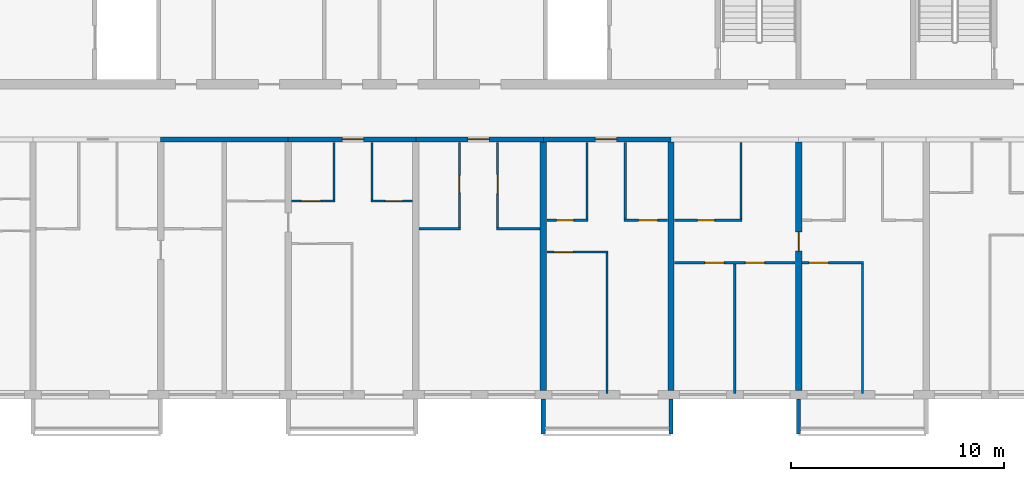
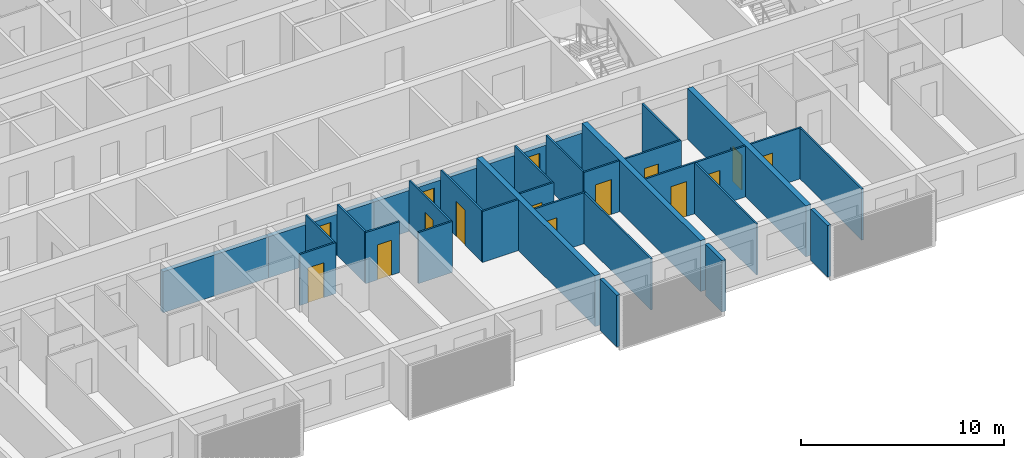
# One storey, part 5 of 32: 30 walls, 15 doors, 15 openings.
"""IFC4 building model written with IfcOpenShell, lengths in metres."""

import ifcopenshell
import ifcopenshell.guid

model = None  # the IFC model being written
_history = None  # IfcOwnerHistory: only IFC2X3 demands one
_inside = {}  # id of a spatial element -> (the spatial element, [elements in it])
_under = {}  # id of a project, library or spatial element -> (it, [spatial elements below it])
_declared = {}  # id of a project -> (the project, [libraries it declares])
_typed = {}  # id of a type object -> (the type object, [elements of that type])
_made_of = {}  # id of a material, layer set ... -> (it, [elements and type objects made of it])


def new_model(schema):
    """Start an empty IFC model of exactly this schema.

    Asked for "IFC4X3", IfcOpenShell would pick the latest addendum, in which some entities
    have other attributes; the version numbers below select the first issue.
    IFC2X3 requires an IfcOwnerHistory on every rooted entity: one is made here for all.
    """
    global model, _history
    if schema == "IFC4X3":
        model = ifcopenshell.file(schema_version=(4, 3, 0, 0))
    else:
        model = ifcopenshell.file(schema=schema)
    _inside.clear()
    _under.clear()
    _declared.clear()
    _typed.clear()
    _made_of.clear()
    _history = None
    if model.schema == "IFC2X3":
        org = make("IfcOrganization", Name="unknown")
        user = make(
            "IfcPersonAndOrganization",
            ThePerson=make("IfcPerson", FamilyName="unknown"),
            TheOrganization=org,
        )
        app = make(
            "IfcApplication",
            ApplicationDeveloper=org,
            Version="unknown",
            ApplicationFullName="unknown",
            ApplicationIdentifier="unknown",
        )
        _history = make(
            "IfcOwnerHistory",
            OwningUser=user,
            OwningApplication=app,
            ChangeAction="ADDED",
            CreationDate=0,
        )
    return model


def make(cls, **values):
    """One entity of the class cls with the attributes given. An attribute that is None is left unset."""
    return model.create_entity(
        cls, **{name: value for name, value in values.items() if value is not None}
    )


def rooted(cls, **values):
    """An entity with a GlobalId (a new one), such as an element, a storey or a relation."""
    return make(cls, GlobalId=ifcopenshell.guid.new(), OwnerHistory=_history, **values)


def si_unit(unit_type, name, prefix=None):
    """IfcSIUnit, for example si_unit("LENGTHUNIT", "METRE", prefix="MILLI")."""
    return make("IfcSIUnit", UnitType=unit_type, Prefix=prefix, Name=name)


def assignment(units):
    """IfcUnitAssignment: the units of a project."""
    return None if units is None else make("IfcUnitAssignment", Units=units)


def point(xyz):
    """IfcCartesianPoint."""
    return None if xyz is None else make("IfcCartesianPoint", Coordinates=xyz)


def direction(xyz):
    """IfcDirection."""
    return None if xyz is None else make("IfcDirection", DirectionRatios=xyz)


def frame(location, z_axis=None, x_axis=None):
    """IfcAxis2Placement3D, a coordinate frame: its origin and axes. An axis left out is left unset."""
    return make(
        "IfcAxis2Placement3D",
        Location=point(location),
        Axis=direction(z_axis),
        RefDirection=direction(x_axis),
    )


def frame_2d(location, x_axis=None):
    """IfcAxis2Placement2D, a coordinate frame in the plane: its origin and x axis."""
    return make(
        "IfcAxis2Placement2D", Location=point(location), RefDirection=direction(x_axis)
    )


def origin():
    """The frame at (0, 0, 0) with its axes left unset."""
    return frame((0.0, 0.0, 0.0))


def place(relative_to, where):
    """IfcLocalPlacement: puts the frame where relative to a parent placement (None: the world)."""
    return make(
        "IfcLocalPlacement", PlacementRelTo=relative_to, RelativePlacement=where
    )


def context(
    kind, dimensions, precision=None, world=None, true_north=None, identifier=None
):
    """IfcGeometricRepresentationContext, for example the 3D "Model" context."""
    return make(
        "IfcGeometricRepresentationContext",
        ContextIdentifier=identifier,
        ContextType=kind,
        CoordinateSpaceDimension=dimensions,
        Precision=precision,
        WorldCoordinateSystem=world,
        TrueNorth=true_north,
    )


def subcontext(parent, identifier, kind, view, scale=None):
    """IfcGeometricRepresentationSubContext, for example "Body" below "Model"."""
    return make(
        "IfcGeometricRepresentationSubContext",
        ContextIdentifier=identifier,
        ContextType=kind,
        ParentContext=parent,
        TargetScale=scale,
        TargetView=view,
    )


def project(units=None, contexts=None):
    """IfcProject with its units and contexts."""
    return rooted(
        "IfcProject",
        Name="project",
        RepresentationContexts=contexts,
        UnitsInContext=assignment(units),
    )


def spatial(cls, under=None, at=None, **own):
    """A site, building, storey or space (cls), placed at a placement, below another one or the project."""
    s = rooted(cls, ObjectPlacement=at, **own)
    if under is not None:
        _under.setdefault(under.id(), (under, []))[1].append(s)
    return s


def polyline(points):
    """IfcPolyline through the points."""
    return make("IfcPolyline", Points=[point(p) for p in points])


def profile(cls, at=None, kind="AREA", **sizes):
    """A parametric profile (cls). Its sizes go by their IFC names, for example OverallWidth=200.0."""
    return make(cls, ProfileType=kind, Position=at, **sizes)


def rectangle(**sizes):
    """IfcRectangleProfileDef."""
    return profile("IfcRectangleProfileDef", **sizes)


def outline(outer, holes=None, kind="AREA"):
    """IfcArbitraryClosedProfileDef: a profile drawn as a closed curve; with holes, ...WithVoids."""
    if holes is None:
        return make("IfcArbitraryClosedProfileDef", ProfileType=kind, OuterCurve=outer)
    return make(
        "IfcArbitraryProfileDefWithVoids",
        ProfileType=kind,
        OuterCurve=outer,
        InnerCurves=holes,
    )


def extrude(swept, where, along, depth):
    """IfcExtrudedAreaSolid: the profile swept, set in the frame where, extruded along a direction by depth."""
    return make(
        "IfcExtrudedAreaSolid",
        SweptArea=swept,
        Position=where,
        ExtrudedDirection=direction(along),
        Depth=depth,
    )


def shape(context_of_items, identifier, shape_type, items):
    """IfcShapeRepresentation: the items that make up one representation, for example the "Body"."""
    return make(
        "IfcShapeRepresentation",
        ContextOfItems=context_of_items,
        RepresentationIdentifier=identifier,
        RepresentationType=shape_type,
        Items=items,
    )


def source(mapping_origin, context_of_items, identifier, shape_type, items):
    """IfcRepresentationMap: a shape defined once, which mapped items show again and again."""
    return make(
        "IfcRepresentationMap",
        MappingOrigin=mapping_origin,
        MappedRepresentation=shape(context_of_items, identifier, shape_type, items),
    )


def transform(
    local_origin,
    x_axis=None,
    y_axis=None,
    z_axis=None,
    scale=None,
    scale2=None,
    scale3=None,
    uniform=True,
):
    """IfcCartesianTransformationOperator3D, or its non-uniform kind. x_axis, y_axis, z_axis: its Axis1, 2, 3."""
    if uniform:
        return make(
            "IfcCartesianTransformationOperator3D",
            Axis1=direction(x_axis),
            Axis2=direction(y_axis),
            LocalOrigin=point(local_origin),
            Scale=scale,
            Axis3=direction(z_axis),
        )
    return make(
        "IfcCartesianTransformationOperator3DnonUniform",
        Axis1=direction(x_axis),
        Axis2=direction(y_axis),
        LocalOrigin=point(local_origin),
        Scale=scale,
        Axis3=direction(z_axis),
        Scale2=scale2,
        Scale3=scale3,
    )


def mapped(mapping_source, mapping_target):
    """IfcMappedItem: shows the shape of a source again, moved by a transform."""
    return make(
        "IfcMappedItem", MappingSource=mapping_source, MappingTarget=mapping_target
    )


def material(Name=None, Category=None):
    """IfcMaterial."""
    return make("IfcMaterial", Name=Name, Category=Category)


def layer(
    of_material, thickness, ventilated=None, Name=None, Category=None, Priority=None
):
    """IfcMaterialLayer: one layer of a wall or slab, of a material (None: an air gap)."""
    return make(
        "IfcMaterialLayer",
        Material=of_material,
        LayerThickness=thickness,
        IsVentilated=ventilated,
        Name=Name,
        Category=Category,
        Priority=Priority,
    )


def layer_set(layers, Name=None):
    """IfcMaterialLayerSet."""
    return make("IfcMaterialLayerSet", MaterialLayers=layers, LayerSetName=Name)


def made_of(thing, what):
    """Note that an element or type object is made of a material, layer set ...; save() writes the relation."""
    if what is not None:
        _made_of.setdefault(what.id(), (what, []))[1].append(thing)
    return thing


def type_object(cls, material=None, **own):
    """A type object (cls), such as IfcWallType, which elements share."""
    return made_of(rooted(cls, **own), material)


def element(
    cls,
    number,
    at=None,
    inside=None,
    cuts=None,
    type_object=None,
    material=None,
    context=None,
    identifier="Body",
    shape_type=None,
    held_by="IfcProductDefinitionShape",
    body=None,
    shapes=None,
    **own,
):
    """One element of the class cls, such as IfcWall. Its Tag is "e" and its number.

    at: its placement. inside: the storey or other place that contains it. cuts: it is an
    opening in that element (IfcRelVoidsElement). A single representation is given by context,
    identifier, shape_type and body (its items); several are given by shapes. held_by: the class
    of the entity that holds the representations. save() writes the other relations.
    """
    e = rooted(cls, Tag="e%d" % number, ObjectPlacement=at, **own)
    if body is not None:
        shapes = [shape(context, identifier, shape_type, body)]
    if shapes is not None:
        e.Representation = make(held_by, Representations=shapes)
    if inside is not None:
        _inside.setdefault(inside.id(), (inside, []))[1].append(e)
    if cuts is not None:
        rooted(
            "IfcRelVoidsElement", RelatingBuildingElement=cuts, RelatedOpeningElement=e
        )
    if type_object is not None:
        _typed.setdefault(type_object.id(), (type_object, []))[1].append(e)
    return made_of(e, material)


def fill(opening, filler):
    """IfcRelFillsElement: the door or window that sits in an opening."""
    return rooted(
        "IfcRelFillsElement",
        RelatingOpeningElement=opening,
        RelatedBuildingElement=filler,
    )


def aggregate(whole, parts):
    """IfcRelAggregates: a whole, such as a stair, and the parts it consists of."""
    return rooted("IfcRelAggregates", RelatingObject=whole, RelatedObjects=parts)


def save(model, path):
    """Write the relations noted so far, then the file.

    IfcRelAggregates (storeys below a building ...), IfcRelContainedInSpatialStructure (elements
    in a storey), IfcRelDefinesByType, IfcRelAssociatesMaterial and IfcRelDeclares: one each for
    every whole, place, type object, material and project.
    """
    for whole, parts in _under.values():
        aggregate(whole, parts)
    for where, things in _inside.values():
        rooted(
            "IfcRelContainedInSpatialStructure",
            RelatedElements=things,
            RelatingStructure=where,
        )
    for kind, things in _typed.values():
        rooted("IfcRelDefinesByType", RelatedObjects=things, RelatingType=kind)
    for what, things in _made_of.values():
        rooted("IfcRelAssociatesMaterial", RelatedObjects=things, RelatingMaterial=what)
    for by, libraries in _declared.values():
        rooted("IfcRelDeclares", RelatingContext=by, RelatedDefinitions=libraries)
    model.write(path)


model = new_model("IFC4")

# Units and contexts
model_context = context("Model", 3, precision=1e-05, world=origin(), true_north=direction((0.0, 1.0)))
body_context = subcontext(model_context, "Body", "Model", "MODEL_VIEW")
ifc_project = project(units=[si_unit("LENGTHUNIT", "METRE"), si_unit("AREAUNIT", "SQUARE_METRE"), si_unit("VOLUMEUNIT", "CUBIC_METRE"), si_unit("PLANEANGLEUNIT", "RADIAN"), si_unit("MASSUNIT", "GRAM", prefix="KILO")], contexts=[model_context])

# Site, building, storey
site_placement = place(None, origin())
site = spatial("IfcSite", under=ifc_project, at=site_placement, CompositionType="ELEMENT")
building_placement = place(site_placement, origin())
building = spatial("IfcBuilding", under=site, at=building_placement, Name="Poui Terraces", CompositionType="ELEMENT")
storey_placement = place(building_placement, frame((0.0, 0.0, 129.0)))
storey = spatial("IfcBuildingStorey", under=building, at=storey_placement, Name="L35", CompositionType="ELEMENT", Elevation=129.0)

# Wall
ifc_material_1 = material(Name="Concrete 65 MPa", Category="concrete")
ifc_layer_1 = layer(ifc_material_1, 0.25)
ifc_layer_set_1 = layer_set([ifc_layer_1], Name="Concrete 65 MPa")
wall_type_1 = type_object("IfcWallType", Name="CORRIDOR WALL 250 65MPa", PredefinedType="SHEAR", material=ifc_layer_set_1)
wall_1_placement = place(storey_placement, frame((42.0, 12.0, 0.0), z_axis=(0.0, 0.0, 1.0), x_axis=(1.0, 0.0, 0.0)))
element("IfcWall", 1, at=wall_1_placement, inside=storey, type_object=wall_type_1, Name="CORRIDOR WALL LINE B BAY 6", PredefinedType="SHEAR", context=body_context, shape_type="SweptSolid", body=[
    extrude(rectangle(XDim=6.0, YDim=0.25, at=frame_2d((3.0, 0.0))), origin(), (0.0, 0.0, 1.0), 2.469970703125),
])

# Wall, opening, door
wall_2_placement = place(storey_placement, frame((48.0, 12.0, 0.0), z_axis=(0.0, 0.0, 1.0), x_axis=(1.0, 0.0, 0.0)))
wall_2 = element("IfcWall", 2, at=wall_2_placement, inside=storey, type_object=wall_type_1, Name="CORRIDOR WALL LINE B BAY 7", PredefinedType="SHEAR", context=body_context, shape_type="SweptSolid", body=[
    extrude(rectangle(XDim=6.0, YDim=0.25, at=frame_2d((3.0, 0.0))), origin(), (0.0, 0.0, 1.0), 2.469970703125),
])
opening_1_placement = place(wall_2_placement, frame((2.550048828125, 0.0, 0.0)))
opening_1 = element("IfcOpeningElement", 3, at=opening_1_placement, cuts=wall_2, Name="Opening FD30S", PredefinedType="OPENING", context=body_context, shape_type="SweptSolid", body=[
    extrude(rectangle(XDim=1.0, YDim=2.10009765625, at=frame_2d((0.5, 1.050048828125))), frame((0.0, 0.135009765625, 0.0), z_axis=(0.0, -1.0, 0.0), x_axis=(1.0, 0.0, 0.0)), (0.0, 0.0, 1.0), 0.27001953125),
])
ifc_material_2 = material(Name="Steel fire door", Category="steel")
door_type_1 = type_object("IfcDoorType", Name="FLAT ENTRANCE DOOR 1000 X 2100", OperationType="NOTDEFINED", PredefinedType="DOOR", material=ifc_material_2)
door_1_placement = place(opening_1_placement, frame((1.0, 0.0, 0.0), z_axis=(0.0, 0.0, 1.0), x_axis=(-1.0, 0.0, 0.0)))
door_1 = element("IfcDoor", 4, at=door_1_placement, inside=storey, type_object=door_type_1, Name="FLAT ENTRANCE DOOR 099", OperationType="SINGLE_SWING_LEFT", OverallHeight=2.10009765625, OverallWidth=1.0, PredefinedType="DOOR", context=body_context, shape_type="SweptSolid", body=[
    extrude(rectangle(XDim=1.0, YDim=2.10009765625, at=frame_2d((0.5, 1.050048828125))), frame((0.0, 0.02490234375, 0.0), z_axis=(0.0, -1.0, 0.0), x_axis=(1.0, 0.0, 0.0)), (0.0, 0.0, 1.0), 0.050048828125),
])
fill(opening_1, door_1)

wall_3_placement = place(storey_placement, frame((54.0, 12.0, 0.0), z_axis=(0.0, 0.0, 1.0), x_axis=(1.0, 0.0, 0.0)))
wall_3 = element("IfcWall", 5, at=wall_3_placement, inside=storey, type_object=wall_type_1, Name="CORRIDOR WALL LINE B BAY 8", PredefinedType="SHEAR", context=body_context, shape_type="SweptSolid", body=[
    extrude(rectangle(XDim=6.0, YDim=0.25, at=frame_2d((3.0, 0.0))), origin(), (0.0, 0.0, 1.0), 2.469970703125),
])
opening_2_placement = place(wall_3_placement, frame((2.449951171875, 0.0, 0.0)))
opening_2 = element("IfcOpeningElement", 6, at=opening_2_placement, cuts=wall_3, Name="Opening FD30S", PredefinedType="OPENING", context=body_context, shape_type="SweptSolid", body=[
    extrude(rectangle(XDim=1.0, YDim=2.10009765625, at=frame_2d((0.5, 1.050048828125))), frame((0.0, 0.135009765625, 0.0), z_axis=(0.0, -1.0, 0.0), x_axis=(1.0, 0.0, 0.0)), (0.0, 0.0, 1.0), 0.27001953125),
])
door_2_placement = place(opening_2_placement, frame((1.0, 0.0, 0.0), z_axis=(0.0, 0.0, 1.0), x_axis=(-1.0, 0.0, 0.0)))
door_2 = element("IfcDoor", 7, at=door_2_placement, inside=storey, type_object=door_type_1, Name="FLAT ENTRANCE DOOR 102", OperationType="SINGLE_SWING_RIGHT", OverallHeight=2.10009765625, OverallWidth=1.0, PredefinedType="DOOR", context=body_context, shape_type="SweptSolid", body=[
    extrude(rectangle(XDim=1.0, YDim=2.10009765625, at=frame_2d((0.5, 1.050048828125))), frame((0.0, 0.02490234375, 0.0), z_axis=(0.0, -1.0, 0.0), x_axis=(1.0, 0.0, 0.0)), (0.0, 0.0, 1.0), 0.050048828125),
])
fill(opening_2, door_2)

wall_4_placement = place(storey_placement, frame((60.0, 12.0, 0.0), z_axis=(0.0, 0.0, 1.0), x_axis=(1.0, 0.0, 0.0)))
wall_4 = element("IfcWall", 8, at=wall_4_placement, inside=storey, type_object=wall_type_1, Name="CORRIDOR WALL LINE B BAY 9", PredefinedType="SHEAR", context=body_context, shape_type="SweptSolid", body=[
    extrude(rectangle(XDim=6.0, YDim=0.25, at=frame_2d((3.0, 0.0))), origin(), (0.0, 0.0, 1.0), 2.469970703125),
])
opening_3_placement = place(wall_4_placement, frame((2.449951171875, 0.0, 0.0)))
opening_3 = element("IfcOpeningElement", 9, at=opening_3_placement, cuts=wall_4, Name="Opening FD30S", PredefinedType="OPENING", context=body_context, shape_type="SweptSolid", body=[
    extrude(rectangle(XDim=1.0, YDim=2.10009765625, at=frame_2d((0.5, 1.050048828125))), frame((0.0, 0.135009765625, 0.0), z_axis=(0.0, -1.0, 0.0), x_axis=(1.0, 0.0, 0.0)), (0.0, 0.0, 1.0), 0.27001953125),
])
door_3_placement = place(opening_3_placement, frame((1.0, 0.0, 0.0), z_axis=(0.0, 0.0, 1.0), x_axis=(-1.0, 0.0, 0.0)))
door_3 = element("IfcDoor", 10, at=door_3_placement, inside=storey, type_object=door_type_1, Name="FLAT ENTRANCE DOOR 106", OperationType="SINGLE_SWING_RIGHT", OverallHeight=2.10009765625, OverallWidth=1.0, PredefinedType="DOOR", context=body_context, shape_type="SweptSolid", body=[
    extrude(rectangle(XDim=1.0, YDim=2.10009765625, at=frame_2d((0.5, 1.050048828125))), frame((0.0, 0.02490234375, 0.0), z_axis=(0.0, -1.0, 0.0), x_axis=(1.0, 0.0, 0.0)), (0.0, 0.0, 1.0), 0.050048828125),
])
fill(opening_3, door_3)

# Walls
ifc_layer_2 = layer(ifc_material_1, 0.300048828125)
ifc_layer_set_2 = layer_set([ifc_layer_2], Name="Concrete 65 MPa")
wall_type_2 = type_object("IfcWallType", Name="CROSS WALL 300 65MPa", PredefinedType="SHEAR", material=ifc_layer_set_2)
for number, where, z_axis, x_axis, name in (
    (11, (60.0, 0.199951171875, 0.0), (0.0, 0.0, 1.0), (0.0, 1.0, 0.0), "CROSS WALL LINE 11 SOUTH"),
    (12, (66.0, 0.199951171875, 0.0), (0.0, 0.0, 1.0), (0.0, 1.0, 0.0), "CROSS WALL LINE 12 SOUTH"),
):
    element("IfcWall", number, at=place(storey_placement, frame(where, z_axis=z_axis, x_axis=x_axis)), inside=storey, type_object=wall_type_2, Name=name, PredefinedType="SHEAR", context=body_context, shape_type="SweptSolid", body=[
        extrude(rectangle(XDim=11.675048828125, YDim=0.300048828125, at=frame_2d((5.83740234375, 0.0))), origin(), (0.0, 0.0, 1.0), 3.070068359375),
    ])

# Wall, opening, door
wall_5_placement = place(storey_placement, frame((72.0, 0.199951171875, 0.0), z_axis=(0.0, 0.0, 1.0), x_axis=(0.0, 1.0, 0.0)))
wall_5 = element("IfcWall", 13, at=wall_5_placement, inside=storey, type_object=wall_type_2, Name="CROSS WALL LINE 13 SOUTH", PredefinedType="SHEAR", context=body_context, shape_type="SweptSolid", body=[
    extrude(rectangle(XDim=11.675048828125, YDim=0.300048828125, at=frame_2d((5.83740234375, 0.0))), origin(), (0.0, 0.0, 1.0), 3.070068359375),
])
opening_4_placement = place(wall_5_placement, frame((6.550048828125, 0.0, 0.0)))
opening_4 = element("IfcOpeningElement", 14, at=opening_4_placement, cuts=wall_5, Name="Opening D90", PredefinedType="OPENING", context=body_context, shape_type="SweptSolid", body=[
    extrude(rectangle(XDim=0.89990234375, YDim=2.10009765625, at=frame_2d((0.449951171875, 1.050048828125))), frame((0.0, 0.16015625, 0.0), z_axis=(0.0, -1.0, 0.0), x_axis=(1.0, 0.0, 0.0)), (0.0, 0.0, 1.0), 0.320068359375),
])
ifc_material_3 = material(Name="Solid core timber door", Category="wood")
door_type_2 = type_object("IfcDoorType", Name="INTERNAL DOOR 900 X 2100", OperationType="NOTDEFINED", PredefinedType="DOOR", material=ifc_material_3)
door_4_placement = place(opening_4_placement, frame((0.89990234375, 0.0, 0.0), z_axis=(0.0, 0.0, 1.0), x_axis=(-1.0, 0.0, 0.0)))
door_4 = element("IfcDoor", 15, at=door_4_placement, inside=storey, type_object=door_type_2, Name="INTERNAL DOOR 111", OperationType="SINGLE_SWING_LEFT", OverallHeight=2.10009765625, OverallWidth=0.89990234375, PredefinedType="DOOR", context=body_context, shape_type="SweptSolid", body=[
    extrude(rectangle(XDim=0.89990234375, YDim=2.10009765625, at=frame_2d((0.449951171875, 1.050048828125))), frame((0.0, 0.02490234375, 0.0), z_axis=(0.0, -1.0, 0.0), x_axis=(1.0, 0.0, 0.0)), (0.0, 0.0, 1.0), 0.050048828125),
])
fill(opening_4, door_4)

# Wall, openings, doors
ifc_material_4 = material(Name="Plasterboard partition")
ifc_layer_3 = layer(ifc_material_4, 0.10009765625)
ifc_layer_set_3 = layer_set([ifc_layer_3], Name="Plasterboard partition")
wall_type_3 = type_object("IfcWallType", Name="FLAT PARTITION 100", PredefinedType="PARTITIONING", material=ifc_layer_set_3)
wall_6_placement = place(storey_placement, frame((66.159912109375, 6.199951171875, 0.0), z_axis=(0.0, 0.0, 1.0), x_axis=(1.0, 0.0, 0.0)))
wall_6 = element("IfcWall", 16, at=wall_6_placement, inside=storey, type_object=wall_type_3, Name="FLAT PARTITION 100", PredefinedType="PARTITIONING", context=body_context, shape_type="SweptSolid", body=[
    extrude(rectangle(XDim=5.68017578125, YDim=0.10009765625, at=frame_2d((2.840087890625, 0.0))), origin(), (0.0, 0.0, 1.0), 3.070068359375),
])
opening_5_placement = place(wall_6_placement, frame((1.43994140625, 0.0, 0.0)))
opening_5 = element("IfcOpeningElement", 17, at=opening_5_placement, cuts=wall_6, Name="Opening D90", PredefinedType="OPENING", context=body_context, shape_type="SweptSolid", body=[
    extrude(rectangle(XDim=0.89990234375, YDim=2.10009765625, at=frame_2d((0.449951171875, 1.050048828125))), frame((0.0, 0.06005859375, 0.0), z_axis=(0.0, -1.0, 0.0), x_axis=(1.0, 0.0, 0.0)), (0.0, 0.0, 1.0), 0.1201171875),
])
opening_6_placement = place(wall_6_placement, frame((3.340087890625, 0.0, 0.0)))
opening_6 = element("IfcOpeningElement", 18, at=opening_6_placement, cuts=wall_6, Name="Opening D90", PredefinedType="OPENING", context=body_context, shape_type="SweptSolid", body=[
    extrude(rectangle(XDim=0.89990234375, YDim=2.10009765625, at=frame_2d((0.449951171875, 1.050048828125))), frame((0.0, 0.06005859375, 0.0), z_axis=(0.0, -1.0, 0.0), x_axis=(1.0, 0.0, 0.0)), (0.0, 0.0, 1.0), 0.1201171875),
])
door_5_placement = place(opening_5_placement, frame((0.89990234375, 0.0, 0.0), z_axis=(0.0, 0.0, 1.0), x_axis=(-1.0, 0.0, 0.0)))
door_5 = element("IfcDoor", 19, at=door_5_placement, inside=storey, type_object=door_type_2, Name="INTERNAL DOOR 109", OperationType="SINGLE_SWING_LEFT", OverallHeight=2.10009765625, OverallWidth=0.89990234375, PredefinedType="DOOR", context=body_context, shape_type="SweptSolid", body=[
    extrude(rectangle(XDim=0.89990234375, YDim=2.10009765625, at=frame_2d((0.449951171875, 1.050048828125))), frame((0.0, 0.02490234375, 0.0), z_axis=(0.0, -1.0, 0.0), x_axis=(1.0, 0.0, 0.0)), (0.0, 0.0, 1.0), 0.050048828125),
])
fill(opening_5, door_5)
door_6_placement = place(opening_6_placement, frame((0.89990234375, 0.0, 0.0), z_axis=(0.0, 0.0, 1.0), x_axis=(-1.0, 0.0, 0.0)))
door_6 = element("IfcDoor", 20, at=door_6_placement, inside=storey, type_object=door_type_2, Name="INTERNAL DOOR 110", OperationType="SINGLE_SWING_RIGHT", OverallHeight=2.10009765625, OverallWidth=0.89990234375, PredefinedType="DOOR", context=body_context, shape_type="SweptSolid", body=[
    extrude(rectangle(XDim=0.89990234375, YDim=2.10009765625, at=frame_2d((0.449951171875, 1.050048828125))), frame((0.0, 0.02490234375, 0.0), z_axis=(0.0, -1.0, 0.0), x_axis=(1.0, 0.0, 0.0)), (0.0, 0.0, 1.0), 0.050048828125),
])
fill(opening_6, door_6)

# Wall, opening, door
wall_7_placement = place(storey_placement, frame((72.159912109375, 6.199951171875, 0.0), z_axis=(0.0, 0.0, 1.0), x_axis=(1.0, 0.0, 0.0)))
wall_7 = element("IfcWall", 21, at=wall_7_placement, inside=storey, type_object=wall_type_3, Name="FLAT PARTITION 100", PredefinedType="PARTITIONING", context=body_context, shape_type="SweptSolid", body=[
    extrude(rectangle(XDim=2.89013671875, YDim=0.10009765625, at=frame_2d((1.445068359375, 0.0))), origin(), (0.0, 0.0, 1.0), 3.070068359375),
])
opening_7_placement = place(wall_7_placement, frame((0.340087890625, 0.0, 0.0)))
opening_7 = element("IfcOpeningElement", 22, at=opening_7_placement, cuts=wall_7, Name="Opening D90", PredefinedType="OPENING", context=body_context, shape_type="SweptSolid", body=[
    extrude(rectangle(XDim=0.89990234375, YDim=2.10009765625, at=frame_2d((0.449951171875, 1.050048828125))), frame((0.0, 0.06005859375, 0.0), z_axis=(0.0, -1.0, 0.0), x_axis=(1.0, 0.0, 0.0)), (0.0, 0.0, 1.0), 0.1201171875),
])
door_7_placement = place(opening_7_placement, origin())
door_7 = element("IfcDoor", 23, at=door_7_placement, inside=storey, type_object=door_type_2, Name="INTERNAL DOOR 112", OperationType="SINGLE_SWING_RIGHT", OverallHeight=2.10009765625, OverallWidth=0.89990234375, PredefinedType="DOOR", context=body_context, shape_type="SweptSolid", body=[
    extrude(rectangle(XDim=0.89990234375, YDim=2.10009765625, at=frame_2d((0.449951171875, 1.050048828125))), frame((0.0, 0.02490234375, 0.0), z_axis=(0.0, -1.0, 0.0), x_axis=(1.0, 0.0, 0.0)), (0.0, 0.0, 1.0), 0.050048828125),
])
fill(opening_7, door_7)

wall_8_placement = place(storey_placement, frame((60.159912109375, 6.699951171875, 0.0), z_axis=(0.0, 0.0, 1.0), x_axis=(1.0, 0.0, 0.0)))
wall_8 = element("IfcWall", 24, at=wall_8_placement, inside=storey, type_object=wall_type_3, Name="FLAT PARTITION 100", PredefinedType="PARTITIONING", context=body_context, shape_type="SweptSolid", body=[
    extrude(rectangle(XDim=2.89013671875, YDim=0.10009765625, at=frame_2d((1.445068359375, 0.0))), origin(), (0.0, 0.0, 1.0), 3.070068359375),
])
opening_8_placement = place(wall_8_placement, frame((0.340087890625, 0.0, 0.0)))
opening_8 = element("IfcOpeningElement", 25, at=opening_8_placement, cuts=wall_8, Name="Opening D90", PredefinedType="OPENING", context=body_context, shape_type="SweptSolid", body=[
    extrude(rectangle(XDim=0.89990234375, YDim=2.10009765625, at=frame_2d((0.449951171875, 1.050048828125))), frame((0.0, 0.06005859375, 0.0), z_axis=(0.0, -1.0, 0.0), x_axis=(1.0, 0.0, 0.0)), (0.0, 0.0, 1.0), 0.1201171875),
])
door_8_placement = place(opening_8_placement, origin())
door_8 = element("IfcDoor", 26, at=door_8_placement, inside=storey, type_object=door_type_2, Name="INTERNAL DOOR 104", OperationType="SINGLE_SWING_RIGHT", OverallHeight=2.10009765625, OverallWidth=0.89990234375, PredefinedType="DOOR", context=body_context, shape_type="SweptSolid", body=[
    extrude(rectangle(XDim=0.89990234375, YDim=2.10009765625, at=frame_2d((0.449951171875, 1.050048828125))), frame((0.0, 0.02490234375, 0.0), z_axis=(0.0, -1.0, 0.0), x_axis=(1.0, 0.0, 0.0)), (0.0, 0.0, 1.0), 0.050048828125),
])
fill(opening_8, door_8)

# Walls
wall_9_placement = place(storey_placement, frame((54.159912109375, 7.800048828125, 0.0), z_axis=(0.0, 0.0, 1.0), x_axis=(1.0, 0.0, 0.0)))
element("IfcWall", 27, at=wall_9_placement, inside=storey, type_object=wall_type_3, Name="FLAT PARTITION 100", PredefinedType="PARTITIONING", context=body_context, shape_type="SweptSolid", body=[
    extrude(rectangle(XDim=1.940185546875, YDim=0.10009765625, at=frame_2d((0.97021484375, 0.0))), origin(), (0.0, 0.0, 1.0), 3.070068359375),
])
wall_10_placement = place(storey_placement, frame((57.800048828125, 7.800048828125, 0.0), z_axis=(0.0, 0.0, 1.0), x_axis=(1.0, 0.0, 0.0)))
element("IfcWall", 28, at=wall_10_placement, inside=storey, type_object=wall_type_3, Name="FLAT PARTITION 100", PredefinedType="PARTITIONING", context=body_context, shape_type="SweptSolid", body=[
    extrude(rectangle(XDim=2.0400390625, YDim=0.10009765625, at=frame_2d((1.02001953125, 0.0))), origin(), (0.0, 0.0, 1.0), 3.070068359375),
])

# Wall, opening, door
wall_11_placement = place(storey_placement, frame((60.159912109375, 8.199951171875, 0.0), z_axis=(0.0, 0.0, 1.0), x_axis=(1.0, 0.0, 0.0)))
wall_11 = element("IfcWall", 29, at=wall_11_placement, inside=storey, type_object=wall_type_3, Name="FLAT PARTITION 100", PredefinedType="PARTITIONING", context=body_context, shape_type="SweptSolid", body=[
    extrude(rectangle(XDim=1.940185546875, YDim=0.10009765625, at=frame_2d((0.97021484375, 0.0))), origin(), (0.0, 0.0, 1.0), 3.070068359375),
])
opening_9_placement = place(wall_11_placement, frame((0.465087890625, 0.0, 0.0)))
opening_9 = element("IfcOpeningElement", 30, at=opening_9_placement, cuts=wall_11, Name="Opening D80", PredefinedType="OPENING", context=body_context, shape_type="SweptSolid", body=[
    extrude(rectangle(XDim=0.800048828125, YDim=2.10009765625, at=frame_2d((0.39990234375, 1.050048828125))), frame((0.0, 0.06005859375, 0.0), z_axis=(0.0, -1.0, 0.0), x_axis=(1.0, 0.0, 0.0)), (0.0, 0.0, 1.0), 0.1201171875),
])
door_type_3 = type_object("IfcDoorType", Name="BATHROOM, LAUNDRY AND STORE DOOR 800 X 2100", OperationType="NOTDEFINED", PredefinedType="DOOR", material=ifc_material_3)
door_9_placement = place(opening_9_placement, origin())
door_9 = element("IfcDoor", 31, at=door_9_placement, inside=storey, type_object=door_type_3, Name="BATHROOM, LAUNDRY AND STORE DOOR 105", OperationType="SINGLE_SWING_LEFT", OverallHeight=2.10009765625, OverallWidth=0.800048828125, PredefinedType="DOOR", context=body_context, shape_type="SweptSolid", body=[
    extrude(rectangle(XDim=0.800048828125, YDim=2.10009765625, at=frame_2d((0.39990234375, 1.050048828125))), frame((0.0, 0.02490234375, 0.0), z_axis=(0.0, -1.0, 0.0), x_axis=(1.0, 0.0, 0.0)), (0.0, 0.0, 1.0), 0.050048828125),
])
fill(opening_9, door_9)

wall_12_placement = place(storey_placement, frame((63.800048828125, 8.199951171875, 0.0), z_axis=(0.0, 0.0, 1.0), x_axis=(1.0, 0.0, 0.0)))
wall_12 = element("IfcWall", 32, at=wall_12_placement, inside=storey, type_object=wall_type_3, Name="FLAT PARTITION 100", PredefinedType="PARTITIONING", context=body_context, shape_type="SweptSolid", body=[
    extrude(rectangle(XDim=2.0400390625, YDim=0.10009765625, at=frame_2d((1.02001953125, 0.0))), origin(), (0.0, 0.0, 1.0), 3.070068359375),
])
opening_10_placement = place(wall_12_placement, frame((0.675048828125, 0.0, 0.0)))
opening_10 = element("IfcOpeningElement", 33, at=opening_10_placement, cuts=wall_12, Name="Opening D90", PredefinedType="OPENING", context=body_context, shape_type="SweptSolid", body=[
    extrude(rectangle(XDim=0.89990234375, YDim=2.10009765625, at=frame_2d((0.449951171875, 1.050048828125))), frame((0.0, 0.06005859375, 0.0), z_axis=(0.0, -1.0, 0.0), x_axis=(1.0, 0.0, 0.0)), (0.0, 0.0, 1.0), 0.1201171875),
])
door_10_placement = place(opening_10_placement, origin())
door_10 = element("IfcDoor", 34, at=door_10_placement, inside=storey, type_object=door_type_2, Name="INTERNAL DOOR 107", OperationType="SINGLE_SWING_RIGHT", OverallHeight=2.10009765625, OverallWidth=0.89990234375, PredefinedType="DOOR", context=body_context, shape_type="SweptSolid", body=[
    extrude(rectangle(XDim=0.89990234375, YDim=2.10009765625, at=frame_2d((0.449951171875, 1.050048828125))), frame((0.0, 0.02490234375, 0.0), z_axis=(0.0, -1.0, 0.0), x_axis=(1.0, 0.0, 0.0)), (0.0, 0.0, 1.0), 0.050048828125),
])
fill(opening_10, door_10)

wall_13_placement = place(storey_placement, frame((66.159912109375, 8.199951171875, 0.0), z_axis=(0.0, 0.0, 1.0), x_axis=(1.0, 0.0, 0.0)))
wall_13 = element("IfcWall", 35, at=wall_13_placement, inside=storey, type_object=wall_type_3, Name="FLAT PARTITION 100", PredefinedType="PARTITIONING", context=body_context, shape_type="SweptSolid", body=[
    extrude(rectangle(XDim=3.190185546875, YDim=0.10009765625, at=frame_2d((1.59521484375, 0.0))), origin(), (0.0, 0.0, 1.0), 3.070068359375),
])
opening_11_placement = place(wall_13_placement, frame((1.090087890625, 0.0, 0.0)))
opening_11 = element("IfcOpeningElement", 36, at=opening_11_placement, cuts=wall_13, Name="Opening D80", PredefinedType="OPENING", context=body_context, shape_type="SweptSolid", body=[
    extrude(rectangle(XDim=0.800048828125, YDim=2.10009765625, at=frame_2d((0.39990234375, 1.050048828125))), frame((0.0, 0.06005859375, 0.0), z_axis=(0.0, -1.0, 0.0), x_axis=(1.0, 0.0, 0.0)), (0.0, 0.0, 1.0), 0.1201171875),
])
door_11_placement = place(opening_11_placement, frame((0.800048828125, 0.0, 0.0), z_axis=(0.0, 0.0, 1.0), x_axis=(-1.0, 0.0, 0.0)))
door_11 = element("IfcDoor", 37, at=door_11_placement, inside=storey, type_object=door_type_3, Name="BATHROOM, LAUNDRY AND STORE DOOR 108", OperationType="SINGLE_SWING_RIGHT", OverallHeight=2.10009765625, OverallWidth=0.800048828125, PredefinedType="DOOR", context=body_context, shape_type="SweptSolid", body=[
    extrude(rectangle(XDim=0.800048828125, YDim=2.10009765625, at=frame_2d((0.39990234375, 1.050048828125))), frame((0.0, 0.02490234375, 0.0), z_axis=(0.0, -1.0, 0.0), x_axis=(1.0, 0.0, 0.0)), (0.0, 0.0, 1.0), 0.050048828125),
])
fill(opening_11, door_11)

wall_14_placement = place(storey_placement, frame((48.159912109375, 9.10009765625, 0.0), z_axis=(0.0, 0.0, 1.0), x_axis=(1.0, 0.0, 0.0)))
wall_14 = element("IfcWall", 38, at=wall_14_placement, inside=storey, type_object=wall_type_3, Name="FLAT PARTITION 100", PredefinedType="PARTITIONING", context=body_context, shape_type="SweptSolid", body=[
    extrude(rectangle(XDim=2.0400390625, YDim=0.10009765625, at=frame_2d((1.02001953125, 0.0))), origin(), (0.0, 0.0, 1.0), 3.070068359375),
])
opening_12_placement = place(wall_14_placement, frame((0.465087890625, 0.0, 0.0)))
opening_12 = element("IfcOpeningElement", 39, at=opening_12_placement, cuts=wall_14, Name="Opening D90", PredefinedType="OPENING", context=body_context, shape_type="SweptSolid", body=[
    extrude(rectangle(XDim=0.89990234375, YDim=2.10009765625, at=frame_2d((0.449951171875, 1.050048828125))), frame((0.0, 0.06005859375, 0.0), z_axis=(0.0, -1.0, 0.0), x_axis=(1.0, 0.0, 0.0)), (0.0, 0.0, 1.0), 0.1201171875),
])
door_12_placement = place(opening_12_placement, origin())
door_12 = element("IfcDoor", 40, at=door_12_placement, inside=storey, type_object=door_type_2, Name="INTERNAL DOOR 098", OperationType="SINGLE_SWING_LEFT", OverallHeight=2.10009765625, OverallWidth=0.89990234375, PredefinedType="DOOR", context=body_context, shape_type="SweptSolid", body=[
    extrude(rectangle(XDim=0.89990234375, YDim=2.10009765625, at=frame_2d((0.449951171875, 1.050048828125))), frame((0.0, 0.02490234375, 0.0), z_axis=(0.0, -1.0, 0.0), x_axis=(1.0, 0.0, 0.0)), (0.0, 0.0, 1.0), 0.050048828125),
])
fill(opening_12, door_12)

wall_15_placement = place(storey_placement, frame((51.89990234375, 9.10009765625, 0.0), z_axis=(0.0, 0.0, 1.0), x_axis=(1.0, 0.0, 0.0)))
wall_15 = element("IfcWall", 41, at=wall_15_placement, inside=storey, type_object=wall_type_3, Name="FLAT PARTITION 100", PredefinedType="PARTITIONING", context=body_context, shape_type="SweptSolid", body=[
    extrude(rectangle(XDim=1.940185546875, YDim=0.10009765625, at=frame_2d((0.97021484375, 0.0))), origin(), (0.0, 0.0, 1.0), 3.070068359375),
])
opening_13_placement = place(wall_15_placement, frame((0.675048828125, 0.0, 0.0)))
opening_13 = element("IfcOpeningElement", 42, at=opening_13_placement, cuts=wall_15, Name="Opening D80", PredefinedType="OPENING", context=body_context, shape_type="SweptSolid", body=[
    extrude(rectangle(XDim=0.800048828125, YDim=2.10009765625, at=frame_2d((0.39990234375, 1.050048828125))), frame((0.0, 0.06005859375, 0.0), z_axis=(0.0, -1.0, 0.0), x_axis=(1.0, 0.0, 0.0)), (0.0, 0.0, 1.0), 0.1201171875),
])
door_13_placement = place(opening_13_placement, origin())
door_13 = element("IfcDoor", 43, at=door_13_placement, inside=storey, type_object=door_type_3, Name="BATHROOM, LAUNDRY AND STORE DOOR 100", OperationType="SINGLE_SWING_RIGHT", OverallHeight=2.10009765625, OverallWidth=0.800048828125, PredefinedType="DOOR", context=body_context, shape_type="SweptSolid", body=[
    extrude(rectangle(XDim=0.800048828125, YDim=2.10009765625, at=frame_2d((0.39990234375, 1.050048828125))), frame((0.0, 0.02490234375, 0.0), z_axis=(0.0, -1.0, 0.0), x_axis=(1.0, 0.0, 0.0)), (0.0, 0.0, 1.0), 0.050048828125),
])
fill(opening_13, door_13)

# Walls
for number, where, z_axis, x_axis, name in (
    (44, (50.14990234375, 9.14990234375, 0.0), (0.0, 0.0, 1.0), (0.0, 1.0, 0.0), "FLAT PARTITION 100"),
    (45, (51.949951171875, 9.14990234375, 0.0), (0.0, 0.0, 1.0), (0.0, 1.0, 0.0), "FLAT PARTITION 100"),
):
    element("IfcWall", number, at=place(storey_placement, frame(where, z_axis=z_axis, x_axis=x_axis)), inside=storey, type_object=wall_type_3, Name=name, PredefinedType="PARTITIONING", context=body_context, shape_type="SweptSolid", body=[
        extrude(rectangle(XDim=2.715087890625, YDim=0.10009765625, at=frame_2d((1.357421875, 0.0))), origin(), (0.0, 0.0, 1.0), 3.070068359375),
    ])

# Wall, opening, door
wall_16_placement = place(storey_placement, frame((56.050048828125, 7.85009765625, 0.0), z_axis=(0.0, 0.0, 1.0), x_axis=(0.0, 1.0, 0.0)))
wall_16 = element("IfcWall", 46, at=wall_16_placement, inside=storey, type_object=wall_type_3, Name="FLAT PARTITION 100", PredefinedType="PARTITIONING", context=body_context, shape_type="SweptSolid", body=[
    extrude(rectangle(XDim=4.014892578125, YDim=0.10009765625, at=frame_2d((2.00732421875, 0.0))), origin(), (0.0, 0.0, 1.0), 3.070068359375),
])
opening_14_placement = place(wall_16_placement, frame((1.64990234375, 0.0, 0.0)))
opening_14 = element("IfcOpeningElement", 47, at=opening_14_placement, cuts=wall_16, Name="Opening D80", PredefinedType="OPENING", context=body_context, shape_type="SweptSolid", body=[
    extrude(rectangle(XDim=0.800048828125, YDim=2.10009765625, at=frame_2d((0.39990234375, 1.050048828125))), frame((0.0, 0.06005859375, 0.0), z_axis=(0.0, -1.0, 0.0), x_axis=(1.0, 0.0, 0.0)), (0.0, 0.0, 1.0), 0.1201171875),
])
door_14_placement = place(opening_14_placement, origin())
door_14 = element("IfcDoor", 48, at=door_14_placement, inside=storey, type_object=door_type_3, Name="BATHROOM, LAUNDRY AND STORE DOOR 101", OperationType="SINGLE_SWING_LEFT", OverallHeight=2.10009765625, OverallWidth=0.800048828125, PredefinedType="DOOR", context=body_context, shape_type="SweptSolid", body=[
    extrude(rectangle(XDim=0.800048828125, YDim=2.10009765625, at=frame_2d((0.39990234375, 1.050048828125))), frame((0.0, 0.02490234375, 0.0), z_axis=(0.0, -1.0, 0.0), x_axis=(1.0, 0.0, 0.0)), (0.0, 0.0, 1.0), 0.050048828125),
])
fill(opening_14, door_14)

wall_17_placement = place(storey_placement, frame((57.85009765625, 7.85009765625, 0.0), z_axis=(0.0, 0.0, 1.0), x_axis=(0.0, 1.0, 0.0)))
wall_17 = element("IfcWall", 49, at=wall_17_placement, inside=storey, type_object=wall_type_3, Name="FLAT PARTITION 100", PredefinedType="PARTITIONING", context=body_context, shape_type="SweptSolid", body=[
    extrude(rectangle(XDim=4.014892578125, YDim=0.10009765625, at=frame_2d((2.00732421875, 0.0))), origin(), (0.0, 0.0, 1.0), 3.070068359375),
])
opening_15_placement = place(wall_17_placement, frame((1.60009765625, 0.0, 0.0)))
opening_15 = element("IfcOpeningElement", 50, at=opening_15_placement, cuts=wall_17, Name="Opening D90", PredefinedType="OPENING", context=body_context, shape_type="SweptSolid", body=[
    extrude(rectangle(XDim=0.89990234375, YDim=2.10009765625, at=frame_2d((0.449951171875, 1.050048828125))), frame((0.0, 0.06005859375, 0.0), z_axis=(0.0, -1.0, 0.0), x_axis=(1.0, 0.0, 0.0)), (0.0, 0.0, 1.0), 0.1201171875),
])
door_15_placement = place(opening_15_placement, frame((0.89990234375, 0.0, 0.0), z_axis=(0.0, 0.0, 1.0), x_axis=(-1.0, 0.0, 0.0)))
door_15 = element("IfcDoor", 51, at=door_15_placement, inside=storey, type_object=door_type_2, Name="INTERNAL DOOR 103", OperationType="SINGLE_SWING_LEFT", OverallHeight=2.10009765625, OverallWidth=0.89990234375, PredefinedType="DOOR", context=body_context, shape_type="SweptSolid", body=[
    extrude(rectangle(XDim=0.89990234375, YDim=2.10009765625, at=frame_2d((0.449951171875, 1.050048828125))), frame((0.0, 0.02490234375, 0.0), z_axis=(0.0, -1.0, 0.0), x_axis=(1.0, 0.0, 0.0)), (0.0, 0.0, 1.0), 0.050048828125),
])
fill(opening_15, door_15)

# Walls
wall_18_placement = place(storey_placement, frame((62.050048828125, 8.25, 0.0), z_axis=(0.0, 0.0, 1.0), x_axis=(0.0, 1.0, 0.0)))
element("IfcWall", 52, at=wall_18_placement, inside=storey, type_object=wall_type_3, Name="FLAT PARTITION 100", PredefinedType="PARTITIONING", context=body_context, shape_type="SweptSolid", body=[
    extrude(rectangle(XDim=3.614990234375, YDim=0.10009765625, at=frame_2d((1.8076171875, 0.0))), origin(), (0.0, 0.0, 1.0), 3.070068359375),
])
wall_19_placement = place(storey_placement, frame((63.0, 0.06005859375, 0.0), z_axis=(0.0, 0.0, 1.0), x_axis=(0.0, 1.0, 0.0)))
element("IfcWall", 53, at=wall_19_placement, inside=storey, type_object=wall_type_3, Name="FLAT PARTITION 100", PredefinedType="PARTITIONING", context=body_context, shape_type="SweptSolid", body=[
    extrude(rectangle(XDim=6.58984375, YDim=0.10009765625, at=frame_2d((3.294921875, 0.0))), origin(), (0.0, 0.0, 1.0), 3.070068359375),
])
wall_20_placement = place(storey_placement, frame((63.85009765625, 8.25, 0.0), z_axis=(0.0, 0.0, 1.0), x_axis=(0.0, 1.0, 0.0)))
element("IfcWall", 54, at=wall_20_placement, inside=storey, type_object=wall_type_3, Name="FLAT PARTITION 100", PredefinedType="PARTITIONING", context=body_context, shape_type="SweptSolid", body=[
    extrude(rectangle(XDim=3.614990234375, YDim=0.10009765625, at=frame_2d((1.8076171875, 0.0))), origin(), (0.0, 0.0, 1.0), 3.070068359375),
])
wall_21_placement = place(storey_placement, frame((69.0, 0.06005859375, 0.0), z_axis=(0.0, 0.0, 1.0), x_axis=(0.0, 1.0, 0.0)))
element("IfcWall", 55, at=wall_21_placement, inside=storey, type_object=wall_type_3, Name="FLAT PARTITION 100", PredefinedType="PARTITIONING", context=body_context, shape_type="SweptSolid", body=[
    extrude(rectangle(XDim=6.08984375, YDim=0.10009765625, at=frame_2d((3.044921875, 0.0))), origin(), (0.0, 0.0, 1.0), 3.070068359375),
])
wall_22_placement = place(storey_placement, frame((69.300048828125, 8.25, 0.0), z_axis=(0.0, 0.0, 1.0), x_axis=(0.0, 1.0, 0.0)))
element("IfcWall", 56, at=wall_22_placement, inside=storey, type_object=wall_type_3, Name="FLAT PARTITION 100", PredefinedType="PARTITIONING", context=body_context, shape_type="SweptSolid", body=[
    extrude(rectangle(XDim=3.614990234375, YDim=0.10009765625, at=frame_2d((1.8076171875, 0.0))), origin(), (0.0, 0.0, 1.0), 3.070068359375),
])
wall_23_placement = place(storey_placement, frame((75.0, 0.06005859375, 0.0), z_axis=(0.0, 0.0, 1.0), x_axis=(0.0, 1.0, 0.0)))
element("IfcWall", 57, at=wall_23_placement, inside=storey, type_object=wall_type_3, Name="FLAT PARTITION 100", PredefinedType="PARTITIONING", context=body_context, shape_type="SweptSolid", body=[
    extrude(rectangle(XDim=6.08984375, YDim=0.10009765625, at=frame_2d((3.044921875, 0.0))), origin(), (0.0, 0.0, 1.0), 3.070068359375),
])
ifc_material_5 = material(Name="Precast concrete 40 MPa", Category="concrete")
ifc_layer_4 = layer(ifc_material_5, 0.199951171875)
ifc_layer_set_4 = layer_set([ifc_layer_4], Name="Precast concrete 40 MPa")
wall_type_4 = type_object("IfcWallType", Name="REAR FIN 200", PredefinedType="STANDARD", material=ifc_layer_set_4)
shared_shape = source(origin(), body_context, "Body", "SweptSolid", [
    extrude(outline(polyline([(0.0, 0.0), (0.2001953125, 0.0), (0.2001953125, 1.650146484375), (0.0, 1.650146484375), (0.0, 0.0)])), origin(), (0.0, 0.0, 1.0), 3.10009765625),
])
for number, where, name in (
    (58, (59.89990234375, -1.85009765625, 0.0), "REAR FIN"),
    (59, (65.89990234375, -1.85009765625, 0.0), "REAR FIN"),
    (60, (71.89990234375, -1.85009765625, 0.0), "REAR FIN"),
):
    element("IfcWall", number, at=place(storey_placement, frame(where)), inside=storey, type_object=wall_type_4, Name=name, PredefinedType="STANDARD", context=body_context, shape_type="MappedRepresentation", body=[
        mapped(shared_shape, transform((0.0, 0.0, 0.0))),
    ])

save(model, "model.ifc")
